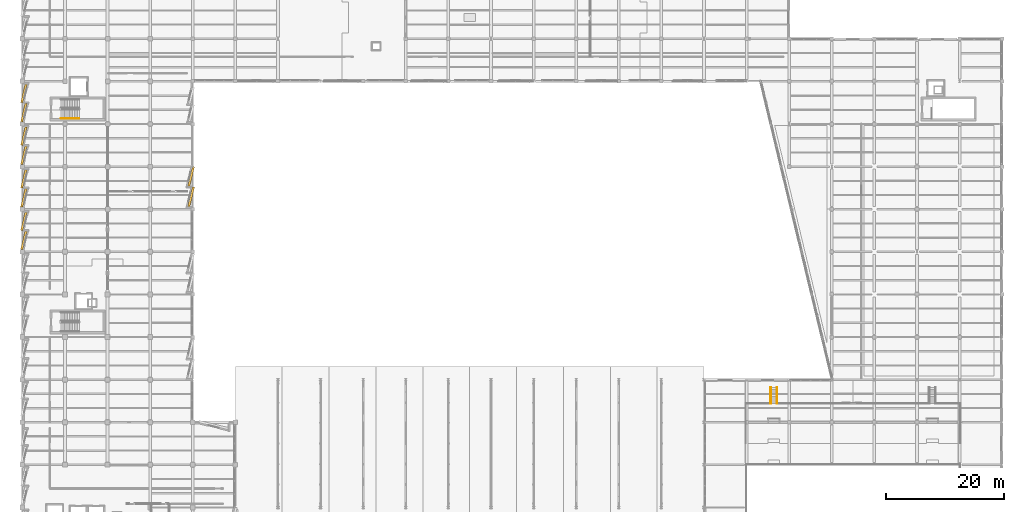
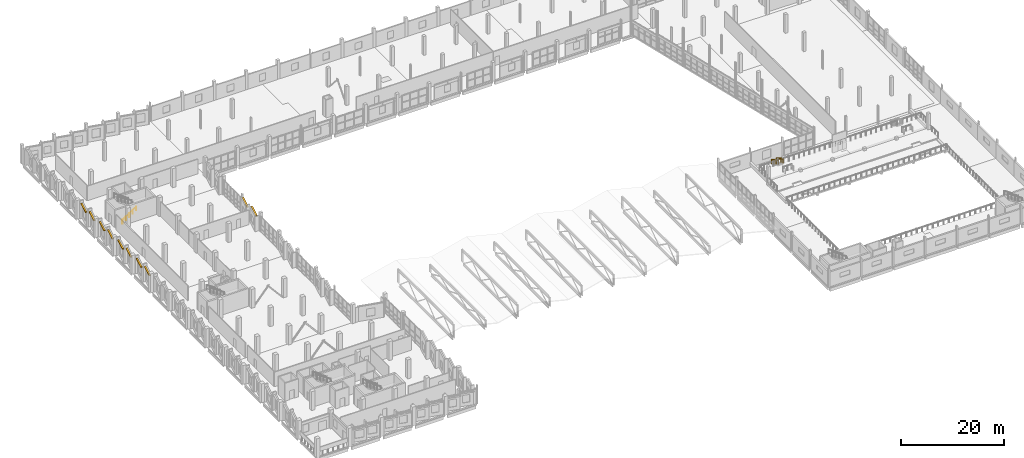
# One storey, part 111 of 123: 10 shading devices, 5 railings.
"""IFC4 building model written with IfcOpenShell, lengths in metres."""

from ifc_helpers import new_model, si_unit, direction, frame, origin, origin_2d, place, context, subcontext, project, spatial, rectangle, circle, extrude, material, layer, layer_set, type_object, element, save


model = new_model("IFC4")

# Units and contexts
model_context = context("Model", 3, precision=1e-05, world=origin(), true_north=direction((0.0, 1.0)))
body_context = subcontext(model_context, "Body", "Model", "MODEL_VIEW")
ifc_project = project(units=[si_unit("LENGTHUNIT", "METRE"), si_unit("AREAUNIT", "SQUARE_METRE"), si_unit("VOLUMEUNIT", "CUBIC_METRE"), si_unit("PLANEANGLEUNIT", "RADIAN"), si_unit("MASSUNIT", "GRAM", prefix="KILO")], contexts=[model_context])

# Site, building, storey
site_placement = place(None, origin())
site = spatial("IfcSite", under=ifc_project, at=site_placement, CompositionType="ELEMENT")
building_placement = place(site_placement, origin())
building = spatial("IfcBuilding", under=site, at=building_placement, Name="Kalmorath City Hall", CompositionType="ELEMENT")
storey_placement = place(building_placement, frame((0.0, 0.0, 10.199951171875)))
storey = spatial("IfcBuildingStorey", under=building, at=storey_placement, Name="L02", CompositionType="ELEMENT", Elevation=10.199951171875)

# Shading devices
ifc_material_1 = material(Name="Precast concrete C40/50", Category="concrete")
ifc_layer = layer(ifc_material_1, 0.179931640625)
ifc_layer_set = layer_set([ifc_layer], Name="Precast concrete C40/50")
shading_device_type = type_object("IfcShadingDeviceType", Name="Precast sawtooth brow sunshade 350", PredefinedType="USERDEFINED", material=ifc_layer_set)
for number, where, z_axis, x_axis, name in (
    (1, (0.25439453125, 66.760498046875, 3.48583984375), (0.0, 0.0, 1.0), (0.233445363856, 0.972369920398, 0.0), "L02 precast sawtooth hood #203"),
    (2, (0.25439453125, 69.97216796875, 3.48583984375), (0.0, 0.0, 1.0), (0.233445363856, 0.972369920398, 0.0), "L02 precast sawtooth hood #204"),
):
    element("IfcShadingDevice", number, at=place(storey_placement, frame(where, z_axis=z_axis, x_axis=x_axis)), inside=storey, type_object=shading_device_type, Name=name, ObjectType="SUNSHADE", PredefinedType="USERDEFINED", context=body_context, shape_type="SweptSolid", body=[
        extrude(rectangle(XDim=3.207763671875, YDim=0.360107421875, at=origin_2d()), origin(), (0.0, 0.0, 1.0), 0.179931640625),
    ])
for number, where, z_axis, x_axis, name in (
    (3, (0.255859375, 73.94189453125, 3.48583984375), (0.0, 0.0, 1.0), (0.233445363856, 0.972369920398, 0.0), "L02 precast sawtooth hood #205"),
    (4, (0.255859375, 77.165771484375, 3.48583984375), (0.0, 0.0, 1.0), (0.233445363856, 0.972369920398, 0.0), "L02 precast sawtooth hood #206"),
    (5, (0.255859375, 81.141845703125, 3.48583984375), (0.0, 0.0, 1.0), (0.233445363856, 0.972369920398, 0.0), "L02 precast sawtooth hood #207"),
    (6, (0.255859375, 84.36572265625, 3.48583984375), (0.0, 0.0, 1.0), (0.233445363856, 0.972369920398, 0.0), "L02 precast sawtooth hood #208"),
    (7, (0.255859375, 88.341796875, 3.48583984375), (0.0, 0.0, 1.0), (0.233445363856, 0.972369920398, 0.0), "L02 precast sawtooth hood #209"),
    (8, (0.255859375, 91.56591796875, 3.48583984375), (0.0, 0.0, 1.0), (0.233445363856, 0.972369920398, 0.0), "L02 precast sawtooth hood #210"),
):
    element("IfcShadingDevice", number, at=place(storey_placement, frame(where, z_axis=z_axis, x_axis=x_axis)), inside=storey, type_object=shading_device_type, Name=name, ObjectType="SUNSHADE", PredefinedType="USERDEFINED", context=body_context, shape_type="SweptSolid", body=[
        extrude(rectangle(XDim=3.220703125, YDim=0.360107421875, at=origin_2d()), origin(), (0.0, 0.0, 1.0), 0.179931640625),
    ])
for number, where, z_axis, x_axis, name in (
    (9, (28.51708984375, 77.521484375, 3.408203125), (0.0, 0.0, 1.0), (-0.233462334877, -0.972365845859, 0.0), "L02 precast sawtooth hood #263"),
    (10, (28.51708984375, 74.072021484375, 3.408203125), (0.0, 0.0, 1.0), (-0.233462334877, -0.972365845859, 0.0), "L02 precast sawtooth hood #264"),
):
    element("IfcShadingDevice", number, at=place(storey_placement, frame(where, z_axis=z_axis, x_axis=x_axis)), inside=storey, type_object=shading_device_type, Name=name, ObjectType="SUNSHADE", PredefinedType="USERDEFINED", context=body_context, shape_type="SweptSolid", body=[
        extrude(rectangle(XDim=3.452392578125, YDim=0.360107421875, at=origin_2d()), origin(), (0.0, 0.0, 1.0), 0.179931640625),
    ])

# Railings
ifc_material_2 = material(Name="Painted steel guardrail", Category="steel")
railing_type_1 = type_object("IfcRailingType", Name="Protected stair guardrail 1100", PredefinedType="GUARDRAIL", material=ifc_material_2)
for number, where, name in (
    (11, (126.43994140625, 41.860107421875, 0.0), "Vomitory stair 1 guard W"),
    (12, (127.56005859375, 41.860107421875, 0.0), "Vomitory stair 1 guard E"),
):
    element("IfcRailing", number, at=place(storey_placement, frame(where)), inside=storey, type_object=railing_type_1, Name=name, PredefinedType="GUARDRAIL", context=body_context, shape_type="SweptSolid", body=[
        extrude(circle(Radius=0.02392578125, at=origin_2d()), frame((0.0, 0.0, 1.09619140625), z_axis=(0.0, -0.874172188743, 0.48561608749), x_axis=(1.0, 0.0, 0.0)), (0.0, 0.0, 1.0), 3.0888671875),
        extrude(circle(Radius=0.02099609375, at=origin_2d()), origin(), (0.0, 0.0, 1.0), 1.072021484375),
        extrude(circle(Radius=0.02099609375, at=origin_2d()), frame((0.0, -0.900146484375, 0.5)), (0.0, 0.0, 1.0), 1.072021484375),
        extrude(circle(Radius=0.02099609375, at=origin_2d()), frame((0.0, -1.800048828125, 1.0)), (0.0, 0.0, 1.0), 1.072021484375),
        extrude(circle(Radius=0.02099609375, at=origin_2d()), frame((0.0, -2.7001953125, 1.5)), (0.0, 0.0, 1.0), 1.072021484375),
    ])
ifc_material_3 = material(Name="Brushed stainless steel handrail", Category="steel")
railing_type_2 = type_object("IfcRailingType", Name="Stair pitch handrail 900", PredefinedType="HANDRAIL", material=ifc_material_3)
railing_placement = place(storey_placement, frame((6.550048828125, 87.35009765625, 0.1875)))
element("IfcRailing", 13, at=railing_placement, inside=storey, type_object=railing_type_2, Name="L02 ST-4 stair handrail 1", PredefinedType="HANDRAIL", context=body_context, shape_type="SweptSolid", body=[
    extrude(circle(Radius=0.02392578125, at=origin_2d()), frame((0.0, 0.0, 0.8759765625), z_axis=(0.830893310487, 0.0, 0.556431762742), x_axis=(0.0, 1.0, 0.0)), (0.0, 0.0, 1.0), 3.70654296875),
    extrude(circle(Radius=0.02099609375, at=origin_2d()), origin(), (0.0, 0.0, 1.0), 0.851806640625),
    extrude(circle(Radius=0.02099609375, at=origin_2d()), frame((0.77001953125, 0.0, 0.515625)), (0.0, 0.0, 1.0), 0.851806640625),
    extrude(circle(Radius=0.02099609375, at=origin_2d()), frame((1.5400390625, 0.0, 1.03125)), (0.0, 0.0, 1.0), 0.851806640625),
    extrude(circle(Radius=0.02099609375, at=origin_2d()), frame((2.309814453125, 0.0, 1.546875)), (0.0, 0.0, 1.0), 0.851806640625),
    extrude(circle(Radius=0.02099609375, at=origin_2d()), frame((3.079833984375, 0.0, 2.0625)), (0.0, 0.0, 1.0), 0.851806640625),
])
for number, where, name in (
    (14, (126.52392578125, 41.860107421875, 0.0), "Vomitory stair 1 handrail W"),
    (15, (127.47607421875, 41.860107421875, 0.0), "Vomitory stair 1 handrail E"),
):
    element("IfcRailing", number, at=place(storey_placement, frame(where)), inside=storey, type_object=railing_type_2, Name=name, PredefinedType="HANDRAIL", context=body_context, shape_type="SweptSolid", body=[
        extrude(circle(Radius=0.02392578125, at=origin_2d()), frame((0.0, 0.0, 0.8759765625), z_axis=(0.0, -0.874172188743, 0.48561608749), x_axis=(1.0, 0.0, 0.0)), (0.0, 0.0, 1.0), 3.0888671875),
        extrude(circle(Radius=0.02099609375, at=origin_2d()), origin(), (0.0, 0.0, 1.0), 0.851806640625),
        extrude(circle(Radius=0.02099609375, at=origin_2d()), frame((0.0, -0.900146484375, 0.5)), (0.0, 0.0, 1.0), 0.851806640625),
        extrude(circle(Radius=0.02099609375, at=origin_2d()), frame((0.0, -1.800048828125, 1.0)), (0.0, 0.0, 1.0), 0.851806640625),
        extrude(circle(Radius=0.02099609375, at=origin_2d()), frame((0.0, -2.7001953125, 1.5)), (0.0, 0.0, 1.0), 0.851806640625),
    ])

save(model, "model.ifc")
